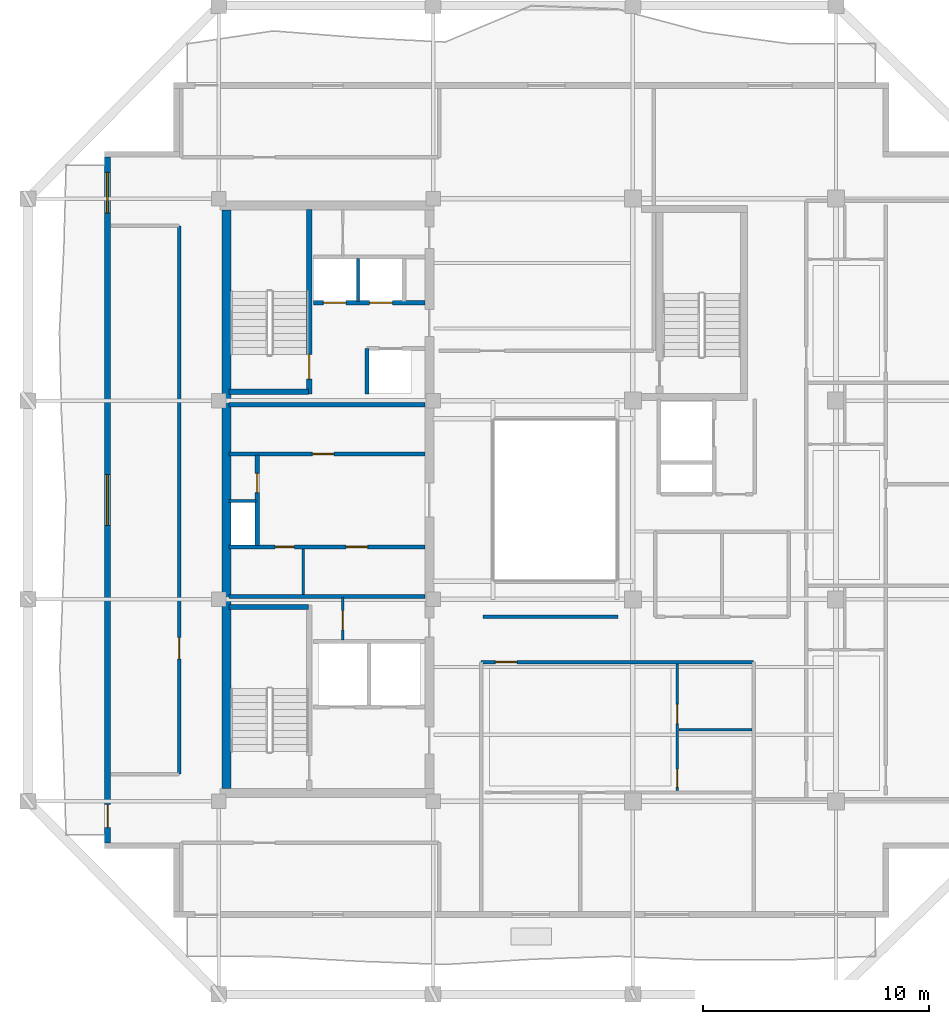
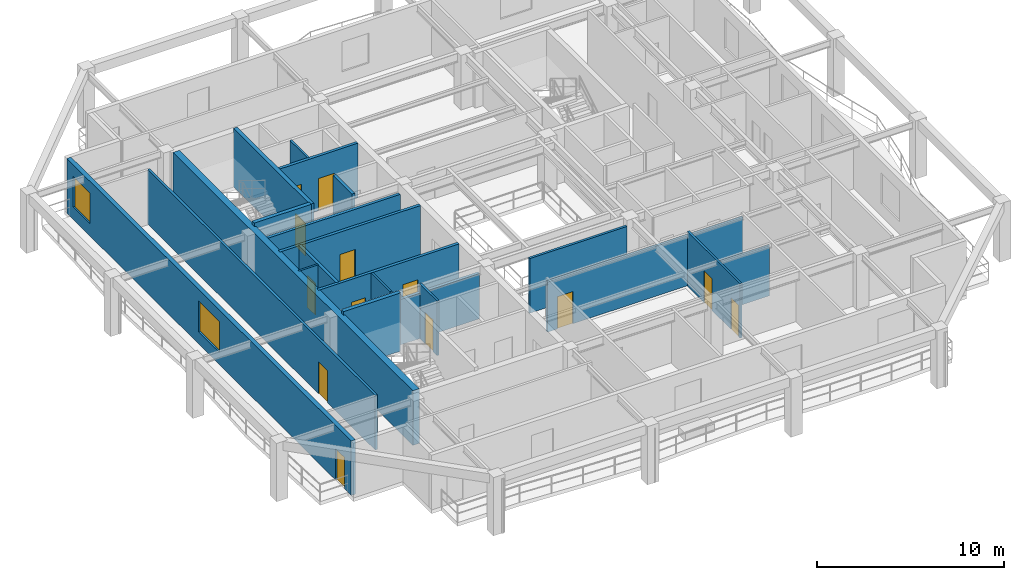
# One storey, part 3 of 10: 21 walls, 13 doors, 2 windows, 15 openings.
"""IFC4 building model written with IfcOpenShell, lengths in metres."""

from ifc_helpers import new_model, si_unit, direction, frame, frame_2d, origin, place, context, subcontext, project, spatial, rectangle, extrude, material, layer, layer_set, type_object, element, fill, save


model = new_model("IFC4")

# Units and contexts
model_context = context("Model", 3, precision=1e-05, world=origin(), true_north=direction((0.0, 1.0)))
body_context = subcontext(model_context, "Body", "Model", "MODEL_VIEW")
ifc_project = project(units=[si_unit("LENGTHUNIT", "METRE"), si_unit("AREAUNIT", "SQUARE_METRE"), si_unit("VOLUMEUNIT", "CUBIC_METRE"), si_unit("PLANEANGLEUNIT", "RADIAN"), si_unit("MASSUNIT", "GRAM", prefix="KILO")], contexts=[model_context])

# Site, building, storey
site_placement = place(None, origin())
site = spatial("IfcSite", under=ifc_project, at=site_placement, CompositionType="ELEMENT")
building_placement = place(site_placement, origin())
building = spatial("IfcBuilding", under=site, at=building_placement, Name="Kundavana Baori Tower", CompositionType="ELEMENT")
storey_placement = place(building_placement, frame((0.0, 0.0, 312.5)))
storey = spatial("IfcBuildingStorey", under=building, at=storey_placement, Name="L77", CompositionType="ELEMENT", Elevation=312.5)

# Walls
ifc_material_1 = material(Name="Concrete C50/60", Category="concrete")
ifc_layer_1 = layer(ifc_material_1, 0.39990234375, Name="WL-CORE-400")
ifc_layer_set_1 = layer_set([ifc_layer_1], Name="Concrete C50/60")
wall_type_1 = type_object("IfcWallType", Name="WL-CORE-400", PredefinedType="SHEAR", material=ifc_layer_set_1)
wall_1_placement = place(storey_placement, frame((15.7900390625, 15.81005859375, 0.0), z_axis=(0.0, 0.0, 1.0), x_axis=(0.0, 1.0, 0.0)))
element("IfcWall", 1, at=wall_1_placement, inside=storey, type_object=wall_type_1, Name="L77 Offset Core West Shear Wall", PredefinedType="SHEAR", context=body_context, shape_type="SweptSolid", body=[
    extrude(rectangle(XDim=25.6298828125, YDim=0.39990234375, at=frame_2d((12.81494140625, 0.0))), origin(), (0.0, 0.0, 1.0), 3.56005859375),
])
wall_2_placement = place(storey_placement, frame((15.89990234375, 23.860107421875, 0.0), z_axis=(0.0, 0.0, 1.0), x_axis=(1.0, 0.0, 0.0)))
element("IfcWall", 2, at=wall_2_placement, inside=storey, type_object=wall_type_1, Name="WL-L77-ST1-N", PredefinedType="SHEAR", context=body_context, shape_type="SweptSolid", body=[
    extrude(rectangle(XDim=3.52001953125, YDim=0.239990234375, at=frame_2d((1.760009765625, 0.0))), origin(), (0.0, 0.0, 1.0), 3.800048828125),
])

# Wall, opening, door
wall_3_placement = place(storey_placement, frame((19.4599609375, 33.300048828125, 0.0), z_axis=(0.0, 0.0, 1.0), x_axis=(0.0, 1.0, 0.0)))
wall_3 = element("IfcWall", 3, at=wall_3_placement, inside=storey, type_object=wall_type_1, Name="WL-L77-ST2-E", PredefinedType="SHEAR", context=body_context, shape_type="SweptSolid", body=[
    extrude(rectangle(XDim=8.179931640625, YDim=0.239990234375, at=frame_2d((4.08984375, 0.0))), origin(), (0.0, 0.0, 1.0), 3.800048828125),
])
opening_1_placement = place(wall_3_placement, frame((0.64990234375, 0.0, 0.0)))
opening_1 = element("IfcOpeningElement", 4, at=opening_1_placement, cuts=wall_3, Name="Opening FD-110", PredefinedType="OPENING", context=body_context, shape_type="SweptSolid", body=[
    extrude(rectangle(XDim=1.10009765625, YDim=2.10009765625, at=frame_2d((0.550048828125, 1.050048828125))), frame((0.0, 0.1298828125, 0.0), z_axis=(0.0, -1.0, 0.0), x_axis=(1.0, 0.0, 0.0)), (0.0, 0.0, 1.0), 0.260009765625),
])
ifc_material_2 = material(Name="Galvanised Steel Fire-Rated Door Leaf", Category="steel")
door_type_1 = type_object("IfcDoorType", Name="DR-FD120-1100", OperationType="NOTDEFINED", PredefinedType="DOOR", material=ifc_material_2)
door_1_placement = place(opening_1_placement, origin())
door_1 = element("IfcDoor", 5, at=door_1_placement, inside=storey, type_object=door_type_1, Name="DR-L77-ST2", OperationType="SINGLE_SWING_RIGHT", OverallHeight=2.10009765625, OverallWidth=1.10009765625, PredefinedType="DOOR", context=body_context, shape_type="SweptSolid", body=[
    extrude(rectangle(XDim=1.10009765625, YDim=2.10009765625, at=frame_2d((0.550048828125, 1.050048828125))), frame((0.0, 0.02490234375, 0.0), z_axis=(0.0, -1.0, 0.0), x_axis=(1.0, 0.0, 0.0)), (0.0, 0.0, 1.0), 0.050048828125),
])
fill(opening_1, door_1)

# Wall
wall_4_placement = place(storey_placement, frame((15.89990234375, 33.389892578125, 0.0), z_axis=(0.0, 0.0, 1.0), x_axis=(1.0, 0.0, 0.0)))
element("IfcWall", 6, at=wall_4_placement, inside=storey, type_object=wall_type_1, Name="WL-L77-ST2-S", PredefinedType="SHEAR", context=body_context, shape_type="SweptSolid", body=[
    extrude(rectangle(XDim=3.52001953125, YDim=0.239990234375, at=frame_2d((1.760009765625, 0.0))), origin(), (0.0, 0.0, 1.0), 3.800048828125),
])

# Wall, openings, door, windows
ifc_material_3 = material(Name="Kiln-Fired Terracotta Brick-Slip Masonry on Concrete C40/50", Category="masonry")
ifc_layer_2 = layer(ifc_material_3, 0.260009765625, Name="WL-EXT-BRK-260")
ifc_layer_set_2 = layer_set([ifc_layer_2], Name="Kiln-Fired Terracotta Brick-Slip Masonry on Concrete C40/50")
wall_type_2 = type_object("IfcWallType", Name="WL-EXT-BRK-260", PredefinedType="SOLIDWALL", material=ifc_layer_set_2)
wall_5_placement = place(storey_placement, frame((10.530029296875, 43.7900390625, 0.0), z_axis=(0.0, 0.0, 1.0), x_axis=(0.0, -1.0, 0.0)))
wall_5 = element("IfcWall", 7, at=wall_5_placement, inside=storey, type_object=wall_type_2, Name="L77 Exterior Insulated Facade Wall 10", PredefinedType="SOLIDWALL", context=body_context, shape_type="SweptSolid", body=[
    extrude(rectangle(XDim=30.380126953125, YDim=0.260009765625, at=frame_2d((15.18994140625, 0.0))), origin(), (0.0, 0.0, 1.0), 3.56005859375),
])
opening_2_placement = place(wall_5_placement, frame((28.68994140625, 0.0, 0.0)))
opening_2 = element("IfcOpeningElement", 8, at=opening_2_placement, cuts=wall_5, Name="Opening BD-1", PredefinedType="OPENING", context=body_context, shape_type="SweptSolid", body=[
    extrude(rectangle(XDim=1.0, YDim=2.050048828125, at=frame_2d((0.5, 1.02490234375))), frame((0.0, 0.14013671875, 0.0), z_axis=(0.0, -1.0, 0.0), x_axis=(1.0, 0.0, 0.0)), (0.0, 0.0, 1.0), 0.280029296875),
])
opening_3_placement = place(wall_5_placement, frame((14.06494140625, 0.0, 0.800048828125)))
opening_3 = element("IfcOpeningElement", 9, at=opening_3_placement, cuts=wall_5, Name="Opening W-10", PredefinedType="OPENING", context=body_context, shape_type="SweptSolid", body=[
    extrude(rectangle(XDim=2.25, YDim=2.0, at=frame_2d((1.125, 1.0))), frame((0.0, 0.14013671875, 0.0), z_axis=(0.0, -1.0, 0.0), x_axis=(1.0, 0.0, 0.0)), (0.0, 0.0, 1.0), 0.280029296875),
])
opening_4_placement = place(wall_5_placement, frame((0.675048828125, 0.0, 0.800048828125)))
opening_4 = element("IfcOpeningElement", 10, at=opening_4_placement, cuts=wall_5, Name="Opening W-01", PredefinedType="OPENING", context=body_context, shape_type="SweptSolid", body=[
    extrude(rectangle(XDim=1.800048828125, YDim=2.0, at=frame_2d((0.89990234375, 1.0))), frame((0.0, 0.14013671875, 0.0), z_axis=(0.0, -1.0, 0.0), x_axis=(1.0, 0.0, 0.0)), (0.0, 0.0, 1.0), 0.280029296875),
])
ifc_material_4 = material(Name="Architectural Patinated Bronze Metalwork")
door_type_2 = type_object("IfcDoorType", Name="DR-EXT-LOG-1000", OperationType="NOTDEFINED", PredefinedType="DOOR", material=ifc_material_4)
door_2_placement = place(opening_2_placement, frame((1.0, 0.0, 0.0), z_axis=(0.0, 0.0, 1.0), x_axis=(-1.0, 0.0, 0.0)))
door_2 = element("IfcDoor", 11, at=door_2_placement, inside=storey, type_object=door_type_2, Name="L77 Loggia Balcony Access Door W", OperationType="SINGLE_SWING_RIGHT", OverallHeight=2.050048828125, OverallWidth=1.0, PredefinedType="DOOR", context=body_context, shape_type="SweptSolid", body=[
    extrude(rectangle(XDim=1.0, YDim=2.050048828125, at=frame_2d((0.5, 1.02490234375))), frame((0.0, 0.02490234375, 0.0), z_axis=(0.0, -1.0, 0.0), x_axis=(1.0, 0.0, 0.0)), (0.0, 0.0, 1.0), 0.050048828125),
])
fill(opening_2, door_2)
ifc_material_5 = material(Name="Double-Glazed Solar-Control Low-E Insulated Glass", Category="glass")
window_type_1 = type_object("IfcWindowType", Name="WIN-LOG-1800x2000", PartitioningType="SINGLE_PANEL", PredefinedType="WINDOW", material=ifc_material_5)
window_1_placement = place(opening_4_placement, origin())
window_1 = element("IfcWindow", 12, at=window_1_placement, inside=storey, type_object=window_type_1, Name="L77 Recessed Loggia Window W-3", OverallHeight=2.0, OverallWidth=1.800048828125, PartitioningType="SINGLE_PANEL", PredefinedType="WINDOW", context=body_context, shape_type="SweptSolid", body=[
    extrude(rectangle(XDim=1.800048828125, YDim=2.0, at=frame_2d((0.89990234375, 1.0))), frame((0.0, 0.030029296875, 0.0), z_axis=(0.0, -1.0, 0.0), x_axis=(1.0, 0.0, 0.0)), (0.0, 0.0, 1.0), 0.06005859375),
])
fill(opening_4, window_1)
ifc_material_6 = material(Name="Double-Glazed Solar-Control Low-E Insulated Glass", Category="glass")
window_type_2 = type_object("IfcWindowType", Name="WIN-LOG-2250x2000", PartitioningType="SINGLE_PANEL", PredefinedType="WINDOW", material=ifc_material_6)
window_2_placement = place(opening_3_placement, origin())
window_2 = element("IfcWindow", 13, at=window_2_placement, inside=storey, type_object=window_type_2, Name="L77 Recessed Loggia Window W-2", OverallHeight=2.0, OverallWidth=2.25, PartitioningType="SINGLE_PANEL", PredefinedType="WINDOW", context=body_context, shape_type="SweptSolid", body=[
    extrude(rectangle(XDim=2.25, YDim=2.0, at=frame_2d((1.125, 1.0))), frame((0.0, 0.030029296875, 0.0), z_axis=(0.0, -1.0, 0.0), x_axis=(1.0, 0.0, 0.0)), (0.0, 0.0, 1.0), 0.06005859375),
])
fill(opening_3, window_2)

# Wall, opening, door
ifc_material_7 = material(Name="Acoustic Gypsum Plasterboard on Galvanised Steel Studs", Category="steel")
ifc_layer_3 = layer(ifc_material_7, 0.1201171875, Name="WL-PART-120")
ifc_layer_set_3 = layer_set([ifc_layer_3], Name="Acoustic Gypsum Plasterboard on Galvanised Steel Studs")
wall_type_3 = type_object("IfcWallType", Name="WL-PART-120", PredefinedType="PARTITIONING", material=ifc_layer_set_3)
wall_6_placement = place(storey_placement, frame((20.949951171875, 22.39990234375, 0.0), z_axis=(0.0, 0.0, 1.0), x_axis=(0.0, 1.0, 0.0)))
wall_6 = element("IfcWall", 14, at=wall_6_placement, inside=storey, type_object=wall_type_3, Name="WL-L77-CSMK-D2", PredefinedType="PARTITIONING", context=body_context, shape_type="SweptSolid", body=[
    extrude(rectangle(XDim=1.880126953125, YDim=0.1201171875, at=frame_2d((0.93994140625, 0.0))), origin(), (0.0, 0.0, 1.0), 3.56005859375),
])
opening_5_placement = place(wall_6_placement, frame((0.449951171875, 0.0, 0.0)))
opening_5 = element("IfcOpeningElement", 15, at=opening_5_placement, cuts=wall_6, Name="Opening FD-085", PredefinedType="OPENING", context=body_context, shape_type="SweptSolid", body=[
    extrude(rectangle(XDim=0.85009765625, YDim=2.06005859375, at=frame_2d((0.425048828125, 1.030029296875))), frame((0.0, 0.070068359375, 0.0), z_axis=(0.0, -1.0, 0.0), x_axis=(1.0, 0.0, 0.0)), (0.0, 0.0, 1.0), 0.14013671875),
])
ifc_material_8 = material(Name="Galvanised Steel Fire-Rated Door Leaf", Category="steel")
door_type_3 = type_object("IfcDoorType", Name="DR-FD60-850", OperationType="NOTDEFINED", PredefinedType="DOOR", material=ifc_material_8)
door_3_placement = place(opening_5_placement, origin())
door_3 = element("IfcDoor", 16, at=door_3_placement, inside=storey, type_object=door_type_3, Name="DR-L77-CSMK1", OperationType="SINGLE_SWING_RIGHT", OverallHeight=2.06005859375, OverallWidth=0.85009765625, PredefinedType="DOOR", context=body_context, shape_type="SweptSolid", body=[
    extrude(rectangle(XDim=0.85009765625, YDim=2.06005859375, at=frame_2d((0.425048828125, 1.030029296875))), frame((0.0, 0.02490234375, 0.0), z_axis=(0.0, -1.0, 0.0), x_axis=(1.0, 0.0, 0.0)), (0.0, 0.0, 1.0), 0.050048828125),
])
fill(opening_5, door_3)

# Walls
wall_7_placement = place(storey_placement, frame((19.199951171875, 24.419921875, 0.0), z_axis=(0.0, 0.0, 1.0), x_axis=(0.0, 1.0, 0.0)))
element("IfcWall", 17, at=wall_7_placement, inside=storey, type_object=wall_type_3, Name="WL-L77-FRLOW-DIV", PredefinedType="PARTITIONING", context=body_context, shape_type="SweptSolid", body=[
    extrude(rectangle(XDim=2.02001953125, YDim=0.1201171875, at=frame_2d((1.010009765625, 0.0))), origin(), (0.0, 0.0, 1.0), 3.56005859375),
])
wall_8_placement = place(storey_placement, frame((15.89990234375, 28.56005859375, 0.0), z_axis=(0.0, 0.0, 1.0), x_axis=(1.0, 0.0, 0.0)))
element("IfcWall", 18, at=wall_8_placement, inside=storey, type_object=wall_type_3, Name="WL-L77-RSRW-N", PredefinedType="PARTITIONING", context=body_context, shape_type="SweptSolid", body=[
    extrude(rectangle(XDim=1.2001953125, YDim=0.1201171875, at=frame_2d((0.60009765625, 0.0))), origin(), (0.0, 0.0, 1.0), 3.56005859375),
])
wall_9_placement = place(storey_placement, frame((21.6201171875, 37.39990234375, 0.0), z_axis=(0.0, 0.0, 1.0), x_axis=(0.0, 1.0, 0.0)))
element("IfcWall", 19, at=wall_9_placement, inside=storey, type_object=wall_type_3, Name="WL-L77-HR-DIV1", PredefinedType="PARTITIONING", context=body_context, shape_type="SweptSolid", body=[
    extrude(rectangle(XDim=1.900146484375, YDim=0.1201171875, at=frame_2d((0.9501953125, 0.0))), origin(), (0.0, 0.0, 1.0), 3.56005859375),
])

# Wall, opening, door
ifc_material_9 = material(Name="Fire-Rated Gypsum Drywall on Galvanised Steel Studs", Category="steel")
ifc_layer_4 = layer(ifc_material_9, 0.14990234375, Name="WL-PART-150")
ifc_layer_set_4 = layer_set([ifc_layer_4], Name="Fire-Rated Gypsum Drywall on Galvanised Steel Studs")
wall_type_4 = type_object("IfcWallType", Name="WL-PART-150", PredefinedType="PARTITIONING", material=ifc_layer_set_4)
wall_10_placement = place(storey_placement, frame((27.080078125, 21.419921875, 0.0), z_axis=(0.0, 0.0, 1.0), x_axis=(1.0, 0.0, 0.0)))
wall_10 = element("IfcWall", 20, at=wall_10_placement, inside=storey, type_object=wall_type_4, Name="WL-L77-RS", PredefinedType="PARTITIONING", context=body_context, shape_type="SweptSolid", body=[
    extrude(rectangle(XDim=12.06982421875, YDim=0.14990234375, at=frame_2d((6.034912109375, 0.0))), origin(), (0.0, 0.0, 1.0), 3.260009765625),
])
opening_6_placement = place(wall_10_placement, frame((0.6298828125, 0.0, 0.0)))
opening_6 = element("IfcOpeningElement", 21, at=opening_6_placement, cuts=wall_10, Name="Opening FD-095", PredefinedType="OPENING", context=body_context, shape_type="SweptSolid", body=[
    extrude(rectangle(XDim=0.949951171875, YDim=2.10009765625, at=frame_2d((0.47509765625, 1.050048828125))), frame((0.0, 0.0849609375, 0.0), z_axis=(0.0, -1.0, 0.0), x_axis=(1.0, 0.0, 0.0)), (0.0, 0.0, 1.0), 0.169921875),
])
ifc_material_10 = material(Name="Engineered Teak Fire-Rated Timber Door Leaf", Category="wood")
door_type_4 = type_object("IfcDoorType", Name="DR-FD60-950", OperationType="NOTDEFINED", PredefinedType="DOOR", material=ifc_material_10)
door_4_placement = place(opening_6_placement, frame((0.949951171875, 0.0, 0.0), z_axis=(0.0, 0.0, 1.0), x_axis=(-1.0, 0.0, 0.0)))
door_4 = element("IfcDoor", 22, at=door_4_placement, inside=storey, type_object=door_type_4, Name="DR-L77-S1-ENT", OperationType="SINGLE_SWING_RIGHT", OverallHeight=2.10009765625, OverallWidth=0.949951171875, PredefinedType="DOOR", context=body_context, shape_type="SweptSolid", body=[
    extrude(rectangle(XDim=0.949951171875, YDim=2.10009765625, at=frame_2d((0.47509765625, 1.050048828125))), frame((0.0, 0.02490234375, 0.0), z_axis=(0.0, -1.0, 0.0), x_axis=(1.0, 0.0, 0.0)), (0.0, 0.0, 1.0), 0.050048828125),
])
fill(opening_6, door_4)

# Wall
wall_11_placement = place(storey_placement, frame((27.14990234375, 23.419921875, 0.0), z_axis=(0.0, 0.0, 1.0), x_axis=(1.0, 0.0, 0.0)))
element("IfcWall", 23, at=wall_11_placement, inside=storey, type_object=wall_type_4, Name="WL-L77-RST", PredefinedType="PARTITIONING", context=body_context, shape_type="SweptSolid", body=[
    extrude(rectangle(XDim=6.0, YDim=0.14990234375, at=frame_2d((3.0, 0.0))), origin(), (0.0, 0.0, 1.0), 3.56005859375),
])

# Wall, opening, door
wall_12_placement = place(storey_placement, frame((13.699951171875, 16.449951171875, 0.0), z_axis=(0.0, 0.0, 1.0), x_axis=(0.0, 1.0, 0.0)))
wall_12 = element("IfcWall", 24, at=wall_12_placement, inside=storey, type_object=wall_type_4, Name="WL-L77-RW", PredefinedType="PARTITIONING", context=body_context, shape_type="SweptSolid", body=[
    extrude(rectangle(XDim=24.300048828125, YDim=0.14990234375, at=frame_2d((12.14990234375, 0.0))), origin(), (0.0, 0.0, 1.0), 3.56005859375),
])
opening_7_placement = place(wall_12_placement, frame((5.10009765625, 0.0, 0.0)))
opening_7 = element("IfcOpeningElement", 25, at=opening_7_placement, cuts=wall_12, Name="Opening ID-095", PredefinedType="OPENING", context=body_context, shape_type="SweptSolid", body=[
    extrude(rectangle(XDim=0.949951171875, YDim=2.080078125, at=frame_2d((0.47509765625, 1.0400390625))), frame((0.0, 0.0849609375, 0.0), z_axis=(0.0, -1.0, 0.0), x_axis=(1.0, 0.0, 0.0)), (0.0, 0.0, 1.0), 0.169921875),
])
ifc_material_11 = material(Name="Engineered Teak Solid-Core Timber Veneer", Category="wood")
door_type_5 = type_object("IfcDoorType", Name="DR-INT-950", OperationType="NOTDEFINED", PredefinedType="DOOR", material=ifc_material_11)
door_5_placement = place(opening_7_placement, origin())
door_5 = element("IfcDoor", 26, at=door_5_placement, inside=storey, type_object=door_type_5, Name="DR-L77-RLNGW", OperationType="SINGLE_SWING_LEFT", OverallHeight=2.080078125, OverallWidth=0.949951171875, PredefinedType="DOOR", context=body_context, shape_type="SweptSolid", body=[
    extrude(rectangle(XDim=0.949951171875, YDim=2.080078125, at=frame_2d((0.47509765625, 1.0400390625))), frame((0.0, 0.02490234375, 0.0), z_axis=(0.0, -1.0, 0.0), x_axis=(1.0, 0.0, 0.0)), (0.0, 0.0, 1.0), 0.050048828125),
])
fill(opening_7, door_5)

# Wall, openings, doors
ifc_material_12 = material(Name="Autoclaved Aerated Concrete Blockwork Masonry", Category="masonry")
ifc_layer_5 = layer(ifc_material_12, 0.179931640625, Name="WL-SHAFT-180")
ifc_layer_set_5 = layer_set([ifc_layer_5], Name="Autoclaved Aerated Concrete Blockwork Masonry")
wall_type_5 = type_object("IfcWallType", Name="WL-SHAFT-180", PredefinedType="SOLIDWALL", material=ifc_layer_set_5)
wall_13_placement = place(storey_placement, frame((15.89990234375, 26.52001953125, 0.0), z_axis=(0.0, 0.0, 1.0), x_axis=(1.0, 0.0, 0.0)))
wall_13 = element("IfcWall", 27, at=wall_13_placement, inside=storey, type_object=wall_type_5, Name="WL-L77-LPLOW-N", PredefinedType="SOLIDWALL", context=body_context, shape_type="SweptSolid", body=[
    extrude(rectangle(XDim=8.68017578125, YDim=0.179931640625, at=frame_2d((4.340087890625, 0.0))), origin(), (0.0, 0.0, 1.0), 3.56005859375),
])
opening_8_placement = place(wall_13_placement, frame((2.050048828125, 0.0, 0.0)))
opening_8 = element("IfcOpeningElement", 28, at=opening_8_placement, cuts=wall_13, Name="Opening FD-085", PredefinedType="OPENING", context=body_context, shape_type="SweptSolid", body=[
    extrude(rectangle(XDim=0.85009765625, YDim=2.06005859375, at=frame_2d((0.425048828125, 1.030029296875))), frame((0.0, 0.10009765625, 0.0), z_axis=(0.0, -1.0, 0.0), x_axis=(1.0, 0.0, 0.0)), (0.0, 0.0, 1.0), 0.199951171875),
])
opening_9_placement = place(wall_13_placement, frame((5.199951171875, 0.0, 0.0)))
opening_9 = element("IfcOpeningElement", 29, at=opening_9_placement, cuts=wall_13, Name="Opening FD-095", PredefinedType="OPENING", context=body_context, shape_type="SweptSolid", body=[
    extrude(rectangle(XDim=0.949951171875, YDim=2.10009765625, at=frame_2d((0.47509765625, 1.050048828125))), frame((0.0, 0.10009765625, 0.0), z_axis=(0.0, -1.0, 0.0), x_axis=(1.0, 0.0, 0.0)), (0.0, 0.0, 1.0), 0.199951171875),
])
door_6_placement = place(opening_8_placement, origin())
door_6 = element("IfcDoor", 30, at=door_6_placement, inside=storey, type_object=door_type_3, Name="DR-L77-FRLOW1", OperationType="SINGLE_SWING_LEFT", OverallHeight=2.06005859375, OverallWidth=0.85009765625, PredefinedType="DOOR", context=body_context, shape_type="SweptSolid", body=[
    extrude(rectangle(XDim=0.85009765625, YDim=2.06005859375, at=frame_2d((0.425048828125, 1.030029296875))), frame((0.0, 0.02490234375, 0.0), z_axis=(0.0, -1.0, 0.0), x_axis=(1.0, 0.0, 0.0)), (0.0, 0.0, 1.0), 0.050048828125),
])
fill(opening_8, door_6)
door_7_placement = place(opening_9_placement, origin())
door_7 = element("IfcDoor", 31, at=door_7_placement, inside=storey, type_object=door_type_4, Name="DR-L77-FRLOW2", OperationType="SINGLE_SWING_RIGHT", OverallHeight=2.10009765625, OverallWidth=0.949951171875, PredefinedType="DOOR", context=body_context, shape_type="SweptSolid", body=[
    extrude(rectangle(XDim=0.949951171875, YDim=2.10009765625, at=frame_2d((0.47509765625, 1.050048828125))), frame((0.0, 0.02490234375, 0.0), z_axis=(0.0, -1.0, 0.0), x_axis=(1.0, 0.0, 0.0)), (0.0, 0.0, 1.0), 0.050048828125),
])
fill(opening_9, door_7)

# Wall
wall_14_placement = place(storey_placement, frame((15.89990234375, 24.330078125, 0.0), z_axis=(0.0, 0.0, 1.0), x_axis=(1.0, 0.0, 0.0)))
element("IfcWall", 32, at=wall_14_placement, inside=storey, type_object=wall_type_5, Name="WL-L77-LPLOW-S", PredefinedType="SOLIDWALL", context=body_context, shape_type="SweptSolid", body=[
    extrude(rectangle(XDim=8.68017578125, YDim=0.179931640625, at=frame_2d((4.340087890625, 0.0))), origin(), (0.0, 0.0, 1.0), 2.9599609375),
])

# Wall, opening, door
wall_15_placement = place(storey_placement, frame((17.159912109375, 26.580078125, 0.0), z_axis=(0.0, 0.0, 1.0), x_axis=(0.0, 1.0, 0.0)))
wall_15 = element("IfcWall", 33, at=wall_15_placement, inside=storey, type_object=wall_type_5, Name="WL-L77-RSRW-E", PredefinedType="SOLIDWALL", context=body_context, shape_type="SweptSolid", body=[
    extrude(rectangle(XDim=4.02001953125, YDim=0.179931640625, at=frame_2d((2.010009765625, 0.0))), origin(), (0.0, 0.0, 1.0), 3.56005859375),
])
opening_10_placement = place(wall_15_placement, frame((2.35009765625, 0.0, 0.0)))
opening_10 = element("IfcOpeningElement", 34, at=opening_10_placement, cuts=wall_15, Name="Opening FD-085", PredefinedType="OPENING", context=body_context, shape_type="SweptSolid", body=[
    extrude(rectangle(XDim=0.85009765625, YDim=2.06005859375, at=frame_2d((0.425048828125, 1.030029296875))), frame((0.0, 0.10009765625, 0.0), z_axis=(0.0, -1.0, 0.0), x_axis=(1.0, 0.0, 0.0)), (0.0, 0.0, 1.0), 0.199951171875),
])
door_8_placement = place(opening_10_placement, origin())
door_8 = element("IfcDoor", 35, at=door_8_placement, inside=storey, type_object=door_type_3, Name="DR-L77-CLN", OperationType="SINGLE_SWING_RIGHT", OverallHeight=2.06005859375, OverallWidth=0.85009765625, PredefinedType="DOOR", context=body_context, shape_type="SweptSolid", body=[
    extrude(rectangle(XDim=0.85009765625, YDim=2.06005859375, at=frame_2d((0.425048828125, 1.030029296875))), frame((0.0, 0.02490234375, 0.0), z_axis=(0.0, -1.0, 0.0), x_axis=(1.0, 0.0, 0.0)), (0.0, 0.0, 1.0), 0.050048828125),
])
fill(opening_10, door_8)

wall_16_placement = place(storey_placement, frame((15.89990234375, 30.639892578125, 0.0), z_axis=(0.0, 0.0, 1.0), x_axis=(1.0, 0.0, 0.0)))
wall_16 = element("IfcWall", 36, at=wall_16_placement, inside=storey, type_object=wall_type_5, Name="WL-L77-LPMID-S", PredefinedType="SOLIDWALL", context=body_context, shape_type="SweptSolid", body=[
    extrude(rectangle(XDim=8.68017578125, YDim=0.179931640625, at=frame_2d((4.340087890625, 0.0))), origin(), (0.0, 0.0, 1.0), 3.56005859375),
])
opening_11_placement = place(wall_16_placement, frame((3.699951171875, 0.0, 0.0)))
opening_11 = element("IfcOpeningElement", 37, at=opening_11_placement, cuts=wall_16, Name="Opening FD-095", PredefinedType="OPENING", context=body_context, shape_type="SweptSolid", body=[
    extrude(rectangle(XDim=0.949951171875, YDim=2.10009765625, at=frame_2d((0.47509765625, 1.050048828125))), frame((0.0, 0.10009765625, 0.0), z_axis=(0.0, -1.0, 0.0), x_axis=(1.0, 0.0, 0.0)), (0.0, 0.0, 1.0), 0.199951171875),
])
door_9_placement = place(opening_11_placement, frame((0.949951171875, 0.0, 0.0), z_axis=(0.0, 0.0, 1.0), x_axis=(-1.0, 0.0, 0.0)))
door_9 = element("IfcDoor", 38, at=door_9_placement, inside=storey, type_object=door_type_4, Name="DR-L77-FRMID1", OperationType="SINGLE_SWING_RIGHT", OverallHeight=2.10009765625, OverallWidth=0.949951171875, PredefinedType="DOOR", context=body_context, shape_type="SweptSolid", body=[
    extrude(rectangle(XDim=0.949951171875, YDim=2.10009765625, at=frame_2d((0.47509765625, 1.050048828125))), frame((0.0, 0.02490234375, 0.0), z_axis=(0.0, -1.0, 0.0), x_axis=(1.0, 0.0, 0.0)), (0.0, 0.0, 1.0), 0.050048828125),
])
fill(opening_11, door_9)

# Walls
wall_17_placement = place(storey_placement, frame((15.89990234375, 32.820068359375, 0.0), z_axis=(0.0, 0.0, 1.0), x_axis=(1.0, 0.0, 0.0)))
element("IfcWall", 39, at=wall_17_placement, inside=storey, type_object=wall_type_5, Name="WL-L77-LPMID-N", PredefinedType="SOLIDWALL", context=body_context, shape_type="SweptSolid", body=[
    extrude(rectangle(XDim=8.68017578125, YDim=0.179931640625, at=frame_2d((4.340087890625, 0.0))), origin(), (0.0, 0.0, 1.0), 2.9599609375),
])
wall_18_placement = place(storey_placement, frame((22.02001953125, 33.300048828125, 0.0), z_axis=(0.0, 0.0, 1.0), x_axis=(0.0, 1.0, 0.0)))
element("IfcWall", 40, at=wall_18_placement, inside=storey, type_object=wall_type_5, Name="WL-L77-LP11-W", PredefinedType="SOLIDWALL", context=body_context, shape_type="SweptSolid", body=[
    extrude(rectangle(XDim=2.010009765625, YDim=0.179931640625, at=frame_2d((1.0048828125, 0.0))), origin(), (0.0, 0.0, 1.0), 3.56005859375),
])

# Wall, openings, doors
wall_19_placement = place(storey_placement, frame((19.639892578125, 37.340087890625, 0.0), z_axis=(0.0, 0.0, 1.0), x_axis=(1.0, 0.0, 0.0)))
wall_19 = element("IfcWall", 41, at=wall_19_placement, inside=storey, type_object=wall_type_5, Name="WL-L77-HRLOB-N", PredefinedType="SOLIDWALL", context=body_context, shape_type="SweptSolid", body=[
    extrude(rectangle(XDim=4.940185546875, YDim=0.179931640625, at=frame_2d((2.47021484375, 0.0))), origin(), (0.0, 0.0, 1.0), 3.56005859375),
])
opening_12_placement = place(wall_19_placement, frame((0.449951171875, 0.0, 0.0)))
opening_12 = element("IfcOpeningElement", 42, at=opening_12_placement, cuts=wall_19, Name="Opening LD-100", PredefinedType="OPENING", context=body_context, shape_type="SweptSolid", body=[
    extrude(rectangle(XDim=1.0, YDim=2.10009765625, at=frame_2d((0.5, 1.050048828125))), frame((0.0, 0.10009765625, 0.0), z_axis=(0.0, -1.0, 0.0), x_axis=(1.0, 0.0, 0.0)), (0.0, 0.0, 1.0), 0.199951171875),
])
opening_13_placement = place(wall_19_placement, frame((2.5, 0.0, 0.0)))
opening_13 = element("IfcOpeningElement", 43, at=opening_13_placement, cuts=wall_19, Name="Opening LD-100", PredefinedType="OPENING", context=body_context, shape_type="SweptSolid", body=[
    extrude(rectangle(XDim=1.0, YDim=2.10009765625, at=frame_2d((0.5, 1.050048828125))), frame((0.0, 0.10009765625, 0.0), z_axis=(0.0, -1.0, 0.0), x_axis=(1.0, 0.0, 0.0)), (0.0, 0.0, 1.0), 0.199951171875),
])
ifc_material_13 = material(Name="Galvanised Steel Fire-Rated Door Leaf", Category="steel")
door_type_6 = type_object("IfcDoorType", Name="DR-SLIDE-LD1000", OperationType="NOTDEFINED", PredefinedType="DOOR", material=ifc_material_13)
door_10_placement = place(opening_12_placement, frame((1.0, 0.0, 0.0), z_axis=(0.0, 0.0, 1.0), x_axis=(-1.0, 0.0, 0.0)))
door_10 = element("IfcDoor", 44, at=door_10_placement, inside=storey, type_object=door_type_6, Name="DR-L77-LD-LP09", OperationType="DOUBLE_DOOR_SLIDING", OverallHeight=2.10009765625, OverallWidth=1.0, PredefinedType="DOOR", context=body_context, shape_type="SweptSolid", body=[
    extrude(rectangle(XDim=1.0, YDim=2.10009765625, at=frame_2d((0.5, 1.050048828125))), frame((0.0, 0.02490234375, 0.0), z_axis=(0.0, -1.0, 0.0), x_axis=(1.0, 0.0, 0.0)), (0.0, 0.0, 1.0), 0.050048828125),
])
fill(opening_12, door_10)
door_11_placement = place(opening_13_placement, frame((1.0, 0.0, 0.0), z_axis=(0.0, 0.0, 1.0), x_axis=(-1.0, 0.0, 0.0)))
door_11 = element("IfcDoor", 45, at=door_11_placement, inside=storey, type_object=door_type_6, Name="DR-L77-LD-LP10", OperationType="DOUBLE_DOOR_SLIDING", OverallHeight=2.10009765625, OverallWidth=1.0, PredefinedType="DOOR", context=body_context, shape_type="SweptSolid", body=[
    extrude(rectangle(XDim=1.0, YDim=2.10009765625, at=frame_2d((0.5, 1.050048828125))), frame((0.0, 0.02490234375, 0.0), z_axis=(0.0, -1.0, 0.0), x_axis=(1.0, 0.0, 0.0)), (0.0, 0.0, 1.0), 0.050048828125),
])
fill(opening_13, door_11)

ifc_material_14 = material(Name="Autoclaved Aerated Concrete Blockwork Masonry", Category="masonry")
ifc_layer_6 = layer(ifc_material_14, 0.125, Name="WL-WET-120")
ifc_layer_set_6 = layer_set([ifc_layer_6], Name="Autoclaved Aerated Concrete Blockwork Masonry")
wall_type_6 = type_object("IfcWallType", Name="WL-WET-120", PredefinedType="PLUMBINGWALL", material=ifc_layer_set_6)
wall_20_placement = place(storey_placement, frame((35.77001953125, 15.720947265625, 0.0), z_axis=(0.0, 0.0, 1.0), x_axis=(0.0, 1.0, 0.0)))
wall_20 = element("IfcWall", 46, at=wall_20_placement, inside=storey, type_object=wall_type_6, Name="WL-L77-S1-KT", PredefinedType="PLUMBINGWALL", context=body_context, shape_type="SweptSolid", body=[
    extrude(rectangle(XDim=5.619140625, YDim=0.125, at=frame_2d((2.8095703125, 0.0))), origin(), (0.0, 0.0, 1.0), 3.56005859375),
])
opening_14_placement = place(wall_20_placement, frame((0.159912109375, 0.0, 0.0)))
opening_14 = element("IfcOpeningElement", 47, at=opening_14_placement, cuts=wall_20, Name="Opening WD-080", PredefinedType="OPENING", context=body_context, shape_type="SweptSolid", body=[
    extrude(rectangle(XDim=0.800048828125, YDim=2.050048828125, at=frame_2d((0.39990234375, 1.02490234375))), frame((0.0, 0.072509765625, 0.0), z_axis=(0.0, -1.0, 0.0), x_axis=(1.0, 0.0, 0.0)), (0.0, 0.0, 1.0), 0.14501953125),
])
opening_15_placement = place(wall_20_placement, frame((2.97705078125, 0.0, 0.0)))
opening_15 = element("IfcOpeningElement", 48, at=opening_15_placement, cuts=wall_20, Name="Opening ID-085", PredefinedType="OPENING", context=body_context, shape_type="SweptSolid", body=[
    extrude(rectangle(XDim=0.85009765625, YDim=2.080078125, at=frame_2d((0.425048828125, 1.0400390625))), frame((0.0, 0.072509765625, 0.0), z_axis=(0.0, -1.0, 0.0), x_axis=(1.0, 0.0, 0.0)), (0.0, 0.0, 1.0), 0.14501953125),
])
ifc_material_15 = material(Name="Engineered Teak Solid-Core Timber Veneer", Category="wood")
door_type_7 = type_object("IfcDoorType", Name="DR-INT-850", OperationType="NOTDEFINED", PredefinedType="DOOR", material=ifc_material_15)
door_12_placement = place(opening_15_placement, origin())
door_12 = element("IfcDoor", 49, at=door_12_placement, inside=storey, type_object=door_type_7, Name="DR-L77-S1-KT", OperationType="SINGLE_SWING_RIGHT", OverallHeight=2.080078125, OverallWidth=0.85009765625, PredefinedType="DOOR", context=body_context, shape_type="SweptSolid", body=[
    extrude(rectangle(XDim=0.85009765625, YDim=2.080078125, at=frame_2d((0.425048828125, 1.0400390625))), frame((0.0, 0.02490234375, 0.0), z_axis=(0.0, -1.0, 0.0), x_axis=(1.0, 0.0, 0.0)), (0.0, 0.0, 1.0), 0.050048828125),
])
fill(opening_15, door_12)
ifc_material_16 = material(Name="Engineered Teak Solid-Core Timber Veneer", Category="wood")
door_type_8 = type_object("IfcDoorType", Name="DR-WET-800", OperationType="NOTDEFINED", PredefinedType="DOOR", material=ifc_material_16)
door_13_placement = place(opening_14_placement, origin())
door_13 = element("IfcDoor", 50, at=door_13_placement, inside=storey, type_object=door_type_8, Name="DR-L77-S1-BT", OperationType="SINGLE_SWING_LEFT", OverallHeight=2.050048828125, OverallWidth=0.800048828125, PredefinedType="DOOR", context=body_context, shape_type="SweptSolid", body=[
    extrude(rectangle(XDim=0.800048828125, YDim=2.050048828125, at=frame_2d((0.39990234375, 1.02490234375))), frame((0.0, 0.02490234375, 0.0), z_axis=(0.0, -1.0, 0.0), x_axis=(1.0, 0.0, 0.0)), (0.0, 0.0, 1.0), 0.050048828125),
])
fill(opening_14, door_13)

# Wall
wall_21_placement = place(storey_placement, frame((35.85009765625, 18.41796875, 0.0), z_axis=(0.0, 0.0, 1.0), x_axis=(1.0, 0.0, 0.0)))
element("IfcWall", 51, at=wall_21_placement, inside=storey, type_object=wall_type_6, Name="WL-L77-S1-BT", PredefinedType="PLUMBINGWALL", context=body_context, shape_type="SweptSolid", body=[
    extrude(rectangle(XDim=3.219970703125, YDim=0.125, at=frame_2d((1.60986328125, 0.0))), origin(), (0.0, 0.0, 1.0), 3.260009765625),
])

save(model, "model.ifc")
